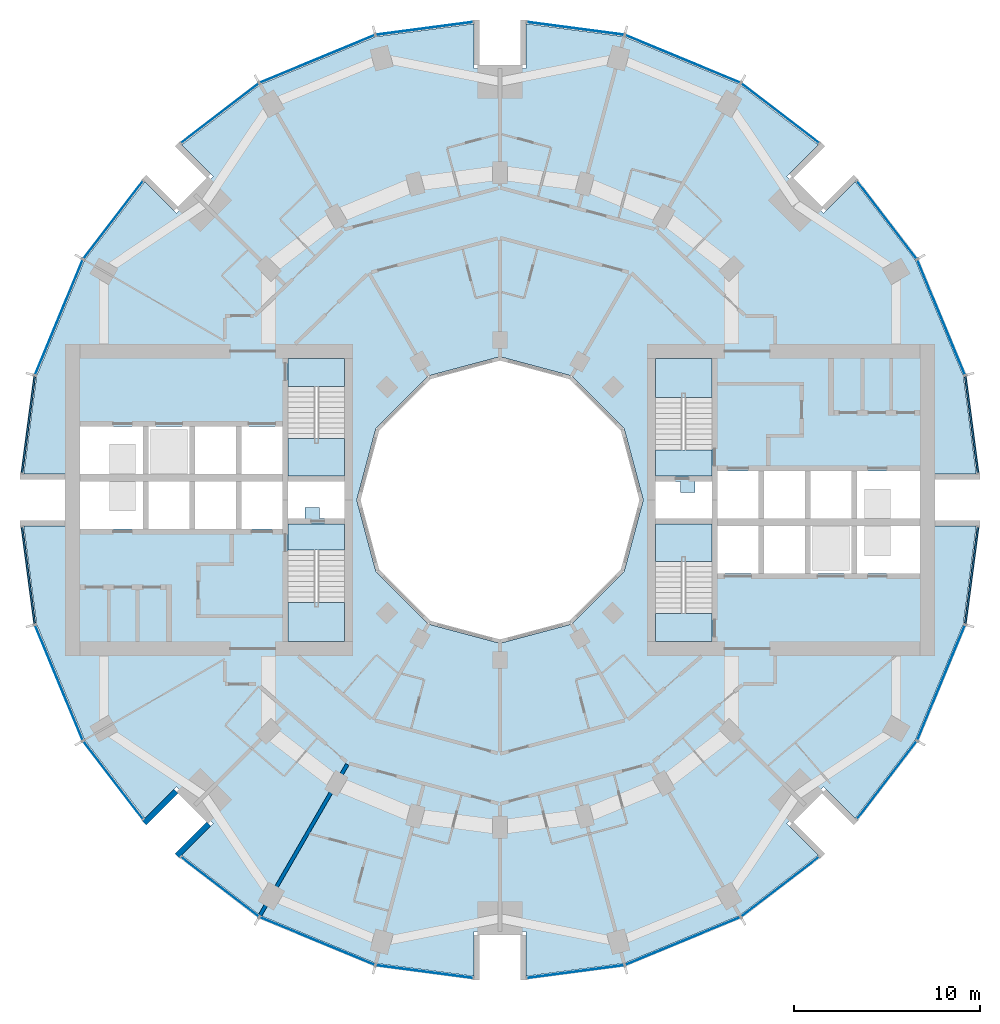
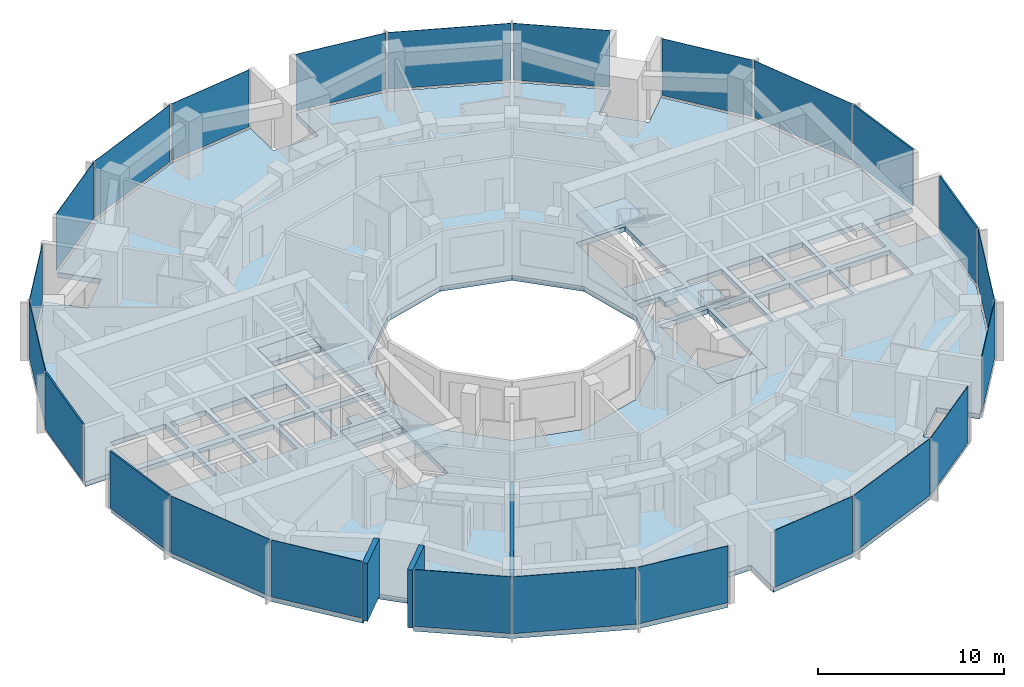
# One storey, part 7 of 15: 24 plates, 9 slabs, 3 walls, 28 elements without a shape of their own.
"""IFC4 building model written with IfcOpenShell, lengths in metres."""

import ifcopenshell
import ifcopenshell.guid

model = None  # the IFC model being written
_history = None  # IfcOwnerHistory: only IFC2X3 demands one
_inside = {}  # id of a spatial element -> (the spatial element, [elements in it])
_under = {}  # id of a project, library or spatial element -> (it, [spatial elements below it])
_declared = {}  # id of a project -> (the project, [libraries it declares])
_typed = {}  # id of a type object -> (the type object, [elements of that type])
_made_of = {}  # id of a material, layer set ... -> (it, [elements and type objects made of it])


def new_model(schema):
    """Start an empty IFC model of exactly this schema.

    Asked for "IFC4X3", IfcOpenShell would pick the latest addendum, in which some entities
    have other attributes; the version numbers below select the first issue.
    IFC2X3 requires an IfcOwnerHistory on every rooted entity: one is made here for all.
    """
    global model, _history
    if schema == "IFC4X3":
        model = ifcopenshell.file(schema_version=(4, 3, 0, 0))
    else:
        model = ifcopenshell.file(schema=schema)
    _inside.clear()
    _under.clear()
    _declared.clear()
    _typed.clear()
    _made_of.clear()
    _history = None
    if model.schema == "IFC2X3":
        org = make("IfcOrganization", Name="unknown")
        user = make(
            "IfcPersonAndOrganization",
            ThePerson=make("IfcPerson", FamilyName="unknown"),
            TheOrganization=org,
        )
        app = make(
            "IfcApplication",
            ApplicationDeveloper=org,
            Version="unknown",
            ApplicationFullName="unknown",
            ApplicationIdentifier="unknown",
        )
        _history = make(
            "IfcOwnerHistory",
            OwningUser=user,
            OwningApplication=app,
            ChangeAction="ADDED",
            CreationDate=0,
        )
    return model


def make(cls, **values):
    """One entity of the class cls with the attributes given. An attribute that is None is left unset."""
    return model.create_entity(
        cls, **{name: value for name, value in values.items() if value is not None}
    )


def rooted(cls, **values):
    """An entity with a GlobalId (a new one), such as an element, a storey or a relation."""
    return make(cls, GlobalId=ifcopenshell.guid.new(), OwnerHistory=_history, **values)


def si_unit(unit_type, name, prefix=None):
    """IfcSIUnit, for example si_unit("LENGTHUNIT", "METRE", prefix="MILLI")."""
    return make("IfcSIUnit", UnitType=unit_type, Prefix=prefix, Name=name)


def assignment(units):
    """IfcUnitAssignment: the units of a project."""
    return None if units is None else make("IfcUnitAssignment", Units=units)


def point(xyz):
    """IfcCartesianPoint."""
    return None if xyz is None else make("IfcCartesianPoint", Coordinates=xyz)


def direction(xyz):
    """IfcDirection."""
    return None if xyz is None else make("IfcDirection", DirectionRatios=xyz)


def frame(location, z_axis=None, x_axis=None):
    """IfcAxis2Placement3D, a coordinate frame: its origin and axes. An axis left out is left unset."""
    return make(
        "IfcAxis2Placement3D",
        Location=point(location),
        Axis=direction(z_axis),
        RefDirection=direction(x_axis),
    )


def frame_2d(location, x_axis=None):
    """IfcAxis2Placement2D, a coordinate frame in the plane: its origin and x axis."""
    return make(
        "IfcAxis2Placement2D", Location=point(location), RefDirection=direction(x_axis)
    )


def origin():
    """The frame at (0, 0, 0) with its axes left unset."""
    return frame((0.0, 0.0, 0.0))


def origin_2d():
    """The frame at (0, 0) in the plane with its x axis left unset."""
    return frame_2d((0.0, 0.0))


def place(relative_to, where):
    """IfcLocalPlacement: puts the frame where relative to a parent placement (None: the world)."""
    return make(
        "IfcLocalPlacement", PlacementRelTo=relative_to, RelativePlacement=where
    )


def context(
    kind, dimensions, precision=None, world=None, true_north=None, identifier=None
):
    """IfcGeometricRepresentationContext, for example the 3D "Model" context."""
    return make(
        "IfcGeometricRepresentationContext",
        ContextIdentifier=identifier,
        ContextType=kind,
        CoordinateSpaceDimension=dimensions,
        Precision=precision,
        WorldCoordinateSystem=world,
        TrueNorth=true_north,
    )


def subcontext(parent, identifier, kind, view, scale=None):
    """IfcGeometricRepresentationSubContext, for example "Body" below "Model"."""
    return make(
        "IfcGeometricRepresentationSubContext",
        ContextIdentifier=identifier,
        ContextType=kind,
        ParentContext=parent,
        TargetScale=scale,
        TargetView=view,
    )


def project(units=None, contexts=None):
    """IfcProject with its units and contexts."""
    return rooted(
        "IfcProject",
        Name="project",
        RepresentationContexts=contexts,
        UnitsInContext=assignment(units),
    )


def spatial(cls, under=None, at=None, **own):
    """A site, building, storey or space (cls), placed at a placement, below another one or the project."""
    s = rooted(cls, ObjectPlacement=at, **own)
    if under is not None:
        _under.setdefault(under.id(), (under, []))[1].append(s)
    return s


def polyline(points):
    """IfcPolyline through the points."""
    return make("IfcPolyline", Points=[point(p) for p in points])


def profile(cls, at=None, kind="AREA", **sizes):
    """A parametric profile (cls). Its sizes go by their IFC names, for example OverallWidth=200.0."""
    return make(cls, ProfileType=kind, Position=at, **sizes)


def rectangle(**sizes):
    """IfcRectangleProfileDef."""
    return profile("IfcRectangleProfileDef", **sizes)


def outline(outer, holes=None, kind="AREA"):
    """IfcArbitraryClosedProfileDef: a profile drawn as a closed curve; with holes, ...WithVoids."""
    if holes is None:
        return make("IfcArbitraryClosedProfileDef", ProfileType=kind, OuterCurve=outer)
    return make(
        "IfcArbitraryProfileDefWithVoids",
        ProfileType=kind,
        OuterCurve=outer,
        InnerCurves=holes,
    )


def extrude(swept, where, along, depth):
    """IfcExtrudedAreaSolid: the profile swept, set in the frame where, extruded along a direction by depth."""
    return make(
        "IfcExtrudedAreaSolid",
        SweptArea=swept,
        Position=where,
        ExtrudedDirection=direction(along),
        Depth=depth,
    )


def shape(context_of_items, identifier, shape_type, items):
    """IfcShapeRepresentation: the items that make up one representation, for example the "Body"."""
    return make(
        "IfcShapeRepresentation",
        ContextOfItems=context_of_items,
        RepresentationIdentifier=identifier,
        RepresentationType=shape_type,
        Items=items,
    )


def material(Name=None, Category=None):
    """IfcMaterial."""
    return make("IfcMaterial", Name=Name, Category=Category)


def layer(
    of_material, thickness, ventilated=None, Name=None, Category=None, Priority=None
):
    """IfcMaterialLayer: one layer of a wall or slab, of a material (None: an air gap)."""
    return make(
        "IfcMaterialLayer",
        Material=of_material,
        LayerThickness=thickness,
        IsVentilated=ventilated,
        Name=Name,
        Category=Category,
        Priority=Priority,
    )


def layer_set(layers, Name=None):
    """IfcMaterialLayerSet."""
    return make("IfcMaterialLayerSet", MaterialLayers=layers, LayerSetName=Name)


def made_of(thing, what):
    """Note that an element or type object is made of a material, layer set ...; save() writes the relation."""
    if what is not None:
        _made_of.setdefault(what.id(), (what, []))[1].append(thing)
    return thing


def type_object(cls, material=None, **own):
    """A type object (cls), such as IfcWallType, which elements share."""
    return made_of(rooted(cls, **own), material)


def element(
    cls,
    number,
    at=None,
    inside=None,
    cuts=None,
    type_object=None,
    material=None,
    context=None,
    identifier="Body",
    shape_type=None,
    held_by="IfcProductDefinitionShape",
    body=None,
    shapes=None,
    **own,
):
    """One element of the class cls, such as IfcWall. Its Tag is "e" and its number.

    at: its placement. inside: the storey or other place that contains it. cuts: it is an
    opening in that element (IfcRelVoidsElement). A single representation is given by context,
    identifier, shape_type and body (its items); several are given by shapes. held_by: the class
    of the entity that holds the representations. save() writes the other relations.
    """
    e = rooted(cls, Tag="e%d" % number, ObjectPlacement=at, **own)
    if body is not None:
        shapes = [shape(context, identifier, shape_type, body)]
    if shapes is not None:
        e.Representation = make(held_by, Representations=shapes)
    if inside is not None:
        _inside.setdefault(inside.id(), (inside, []))[1].append(e)
    if cuts is not None:
        rooted(
            "IfcRelVoidsElement", RelatingBuildingElement=cuts, RelatedOpeningElement=e
        )
    if type_object is not None:
        _typed.setdefault(type_object.id(), (type_object, []))[1].append(e)
    return made_of(e, material)


def aggregate(whole, parts):
    """IfcRelAggregates: a whole, such as a stair, and the parts it consists of."""
    return rooted("IfcRelAggregates", RelatingObject=whole, RelatedObjects=parts)


def save(model, path):
    """Write the relations noted so far, then the file.

    IfcRelAggregates (storeys below a building ...), IfcRelContainedInSpatialStructure (elements
    in a storey), IfcRelDefinesByType, IfcRelAssociatesMaterial and IfcRelDeclares: one each for
    every whole, place, type object, material and project.
    """
    for whole, parts in _under.values():
        aggregate(whole, parts)
    for where, things in _inside.values():
        rooted(
            "IfcRelContainedInSpatialStructure",
            RelatedElements=things,
            RelatingStructure=where,
        )
    for kind, things in _typed.values():
        rooted("IfcRelDefinesByType", RelatedObjects=things, RelatingType=kind)
    for what, things in _made_of.values():
        rooted("IfcRelAssociatesMaterial", RelatedObjects=things, RelatingMaterial=what)
    for by, libraries in _declared.values():
        rooted("IfcRelDeclares", RelatingContext=by, RelatedDefinitions=libraries)
    model.write(path)


model = new_model("IFC4")

# Units and contexts
model_context = context("Model", 3, precision=1e-05, world=origin(), true_north=direction((0.0, 1.0)))
body_context = subcontext(model_context, "Body", "Model", "MODEL_VIEW")
ifc_project = project(units=[si_unit("LENGTHUNIT", "METRE"), si_unit("AREAUNIT", "SQUARE_METRE"), si_unit("VOLUMEUNIT", "CUBIC_METRE"), si_unit("PLANEANGLEUNIT", "RADIAN"), si_unit("MASSUNIT", "GRAM", prefix="KILO")], contexts=[model_context])

# Site, building, storey
site_placement = place(None, origin())
site = spatial("IfcSite", under=ifc_project, at=site_placement, CompositionType="ELEMENT")
building_placement = place(site_placement, origin())
building = spatial("IfcBuilding", under=site, at=building_placement, Name="Torre Brocal", CompositionType="ELEMENT")
storey_placement = place(building_placement, frame((0.0, 0.0, 59.199951171875)))
storey = spatial("IfcBuildingStorey", under=building, at=storey_placement, Name="L13", CompositionType="ELEMENT", Elevation=59.199951171875)

# Curtain wall, plate
ifc_material_1 = material(Name="Aluminium and glass", Category="aluminium")
ifc_layer_1 = layer(ifc_material_1, 0.199951171875)
ifc_layer_set_1 = layer_set([ifc_layer_1], Name="Aluminium and glass")
curtain_wall_type_1 = type_object("IfcCurtainWallType", Name="CW-1 CURTAIN WALL 3800 HIGH", PredefinedType="NOTDEFINED", material=ifc_layer_set_1)
curtain_wall_1_placement = place(storey_placement, origin())
curtain_wall_1 = element("IfcCurtainWall", 1, at=curtain_wall_1_placement, inside=storey, type_object=curtain_wall_type_1, Name="CW-1 RUN 2", PredefinedType="NOTDEFINED")
ifc_material_2 = material(Name="Glass, dark tinted laminated", Category="glass")
ifc_layer_2 = layer(ifc_material_2, 0.031982421875)
ifc_layer_set_2 = layer_set([ifc_layer_2], Name="Glass, dark tinted laminated")
plate_type_1 = type_object("IfcPlateType", Name="CW-1 GLASS PANEL 32", PredefinedType="CURTAIN_PANEL", material=ifc_layer_set_2)
plate_1_placement = place(storey_placement, frame((103.722900390625, 84.826416015625, 0.080078125), z_axis=(0.0, 0.0, 1.0), x_axis=(-0.382683432333, 0.923879532525, 0.0)))
plate_1 = element("IfcPlate", 2, at=plate_1_placement, type_object=plate_type_1, Name="CW1-1 panel 1.1", PredefinedType="CURTAIN_PANEL", context=body_context, shape_type="SweptSolid", body=[
    extrude(rectangle(XDim=6.64111328125, YDim=0.031982421875, at=origin_2d()), origin(), (0.0, 0.0, 1.0), 3.719970703125),
])
aggregate(curtain_wall_1, [plate_1])

curtain_wall_2_placement = place(storey_placement, origin())
curtain_wall_2 = element("IfcCurtainWall", 3, at=curtain_wall_2_placement, inside=storey, type_object=curtain_wall_type_1, Name="CW-1 RUN 3", PredefinedType="NOTDEFINED")
plate_2_placement = place(storey_placement, frame((100.80126953125, 90.0712890625, 0.080078125), z_axis=(0.0, 0.0, 1.0), x_axis=(-0.60876142905, 0.793353340259, 0.0)))
plate_2 = element("IfcPlate", 4, at=plate_2_placement, type_object=plate_type_1, Name="CW1-1 panel 1.1", PredefinedType="CURTAIN_PANEL", context=body_context, shape_type="SweptSolid", body=[
    extrude(rectangle(XDim=5.22900390625, YDim=0.031982421875, at=origin_2d()), origin(), (0.0, 0.0, 1.0), 3.719970703125),
])
aggregate(curtain_wall_2, [plate_2])

curtain_wall_3_placement = place(storey_placement, origin())
curtain_wall_3 = element("IfcCurtainWall", 5, at=curtain_wall_3_placement, inside=storey, type_object=curtain_wall_type_1, Name="CW-1 RUN 4", PredefinedType="NOTDEFINED")
plate_3_placement = place(storey_placement, frame((95.0712890625, 95.80126953125, 0.080078125), z_axis=(0.0, 0.0, 1.0), x_axis=(-0.793353340259, 0.60876142905, 0.0)))
plate_3 = element("IfcPlate", 6, at=plate_3_placement, type_object=plate_type_1, Name="CW1-1 panel 1.1", PredefinedType="CURTAIN_PANEL", context=body_context, shape_type="SweptSolid", body=[
    extrude(rectangle(XDim=5.22900390625, YDim=0.031982421875, at=origin_2d()), origin(), (0.0, 0.0, 1.0), 3.719970703125),
])
aggregate(curtain_wall_3, [plate_3])

curtain_wall_4_placement = place(storey_placement, origin())
curtain_wall_4 = element("IfcCurtainWall", 7, at=curtain_wall_4_placement, inside=storey, type_object=curtain_wall_type_1, Name="CW-1 RUN 5", PredefinedType="NOTDEFINED")
plate_4_placement = place(storey_placement, frame((89.826416015625, 98.722900390625, 0.080078125), z_axis=(0.0, 0.0, 1.0), x_axis=(-0.923879532525, 0.382683432333, 0.0)))
plate_4 = element("IfcPlate", 8, at=plate_4_placement, type_object=plate_type_1, Name="CW1-1 panel 1.1", PredefinedType="CURTAIN_PANEL", context=body_context, shape_type="SweptSolid", body=[
    extrude(rectangle(XDim=6.64111328125, YDim=0.031982421875, at=origin_2d()), origin(), (0.0, 0.0, 1.0), 3.719970703125),
])
aggregate(curtain_wall_4, [plate_4])

curtain_wall_5_placement = place(storey_placement, origin())
curtain_wall_5 = element("IfcCurtainWall", 9, at=curtain_wall_5_placement, inside=storey, type_object=curtain_wall_type_1, Name="CW-1 RUN 6", PredefinedType="NOTDEFINED")
plate_5_placement = place(storey_placement, frame((84.051513671875, 100.36572265625, 0.080078125), z_axis=(0.0, 0.0, 1.0), x_axis=(-0.991444861374, 0.13052619222, 0.0)))
plate_5 = element("IfcPlate", 10, at=plate_5_placement, type_object=plate_type_1, Name="CW1-1 panel 1.1", PredefinedType="CURTAIN_PANEL", context=body_context, shape_type="SweptSolid", body=[
    extrude(rectangle(XDim=5.22900390625, YDim=0.031982421875, at=origin_2d()), origin(), (0.0, 0.0, 1.0), 3.719970703125),
])
aggregate(curtain_wall_5, [plate_5])

curtain_wall_6_placement = place(storey_placement, origin())
curtain_wall_6 = element("IfcCurtainWall", 11, at=curtain_wall_6_placement, inside=storey, type_object=curtain_wall_type_1, Name="CW-1 RUN 7", PredefinedType="NOTDEFINED")
plate_6_placement = place(storey_placement, frame((75.948486328125, 100.36572265625, 0.080078125), z_axis=(0.0, 0.0, 1.0), x_axis=(-0.991444861374, -0.13052619222, 0.0)))
plate_6 = element("IfcPlate", 12, at=plate_6_placement, type_object=plate_type_1, Name="CW1-1 panel 1.1", PredefinedType="CURTAIN_PANEL", context=body_context, shape_type="SweptSolid", body=[
    extrude(rectangle(XDim=5.22900390625, YDim=0.031982421875, at=origin_2d()), origin(), (0.0, 0.0, 1.0), 3.719970703125),
])
aggregate(curtain_wall_6, [plate_6])

curtain_wall_7_placement = place(storey_placement, origin())
curtain_wall_7 = element("IfcCurtainWall", 13, at=curtain_wall_7_placement, inside=storey, type_object=curtain_wall_type_1, Name="CW-1 RUN 8", PredefinedType="NOTDEFINED")
plate_7_placement = place(storey_placement, frame((70.173583984375, 98.722900390625, 0.080078125), z_axis=(0.0, 0.0, 1.0), x_axis=(-0.923879532525, -0.382683432333, 0.0)))
plate_7 = element("IfcPlate", 14, at=plate_7_placement, type_object=plate_type_1, Name="CW1-1 panel 1.1", PredefinedType="CURTAIN_PANEL", context=body_context, shape_type="SweptSolid", body=[
    extrude(rectangle(XDim=6.64111328125, YDim=0.031982421875, at=origin_2d()), origin(), (0.0, 0.0, 1.0), 3.719970703125),
])
aggregate(curtain_wall_7, [plate_7])

curtain_wall_8_placement = place(storey_placement, origin())
curtain_wall_8 = element("IfcCurtainWall", 15, at=curtain_wall_8_placement, inside=storey, type_object=curtain_wall_type_1, Name="CW-1 RUN 9", PredefinedType="NOTDEFINED")
plate_8_placement = place(storey_placement, frame((64.9287109375, 95.80126953125, 0.080078125), z_axis=(0.0, 0.0, 1.0), x_axis=(-0.793353340259, -0.60876142905, 0.0)))
plate_8 = element("IfcPlate", 16, at=plate_8_placement, type_object=plate_type_1, Name="CW1-1 panel 1.1", PredefinedType="CURTAIN_PANEL", context=body_context, shape_type="SweptSolid", body=[
    extrude(rectangle(XDim=5.22900390625, YDim=0.031982421875, at=origin_2d()), origin(), (0.0, 0.0, 1.0), 3.719970703125),
])
aggregate(curtain_wall_8, [plate_8])

curtain_wall_9_placement = place(storey_placement, origin())
curtain_wall_9 = element("IfcCurtainWall", 17, at=curtain_wall_9_placement, inside=storey, type_object=curtain_wall_type_1, Name="CW-1 RUN 10", PredefinedType="NOTDEFINED")
plate_9_placement = place(storey_placement, frame((59.19873046875, 90.0712890625, 0.080078125), z_axis=(0.0, 0.0, 1.0), x_axis=(-0.60876142905, -0.793353340259, 0.0)))
plate_9 = element("IfcPlate", 18, at=plate_9_placement, type_object=plate_type_1, Name="CW1-1 panel 1.1", PredefinedType="CURTAIN_PANEL", context=body_context, shape_type="SweptSolid", body=[
    extrude(rectangle(XDim=5.22900390625, YDim=0.031982421875, at=origin_2d()), origin(), (0.0, 0.0, 1.0), 3.719970703125),
])
aggregate(curtain_wall_9, [plate_9])

curtain_wall_10_placement = place(storey_placement, origin())
curtain_wall_10 = element("IfcCurtainWall", 19, at=curtain_wall_10_placement, inside=storey, type_object=curtain_wall_type_1, Name="CW-1 RUN 11", PredefinedType="NOTDEFINED")
plate_10_placement = place(storey_placement, frame((56.277099609375, 84.826416015625, 0.080078125), z_axis=(0.0, 0.0, 1.0), x_axis=(-0.382683432333, -0.923879532525, 0.0)))
plate_10 = element("IfcPlate", 20, at=plate_10_placement, type_object=plate_type_1, Name="CW1-1 panel 1.1", PredefinedType="CURTAIN_PANEL", context=body_context, shape_type="SweptSolid", body=[
    extrude(rectangle(XDim=6.64111328125, YDim=0.031982421875, at=origin_2d()), origin(), (0.0, 0.0, 1.0), 3.719970703125),
])
aggregate(curtain_wall_10, [plate_10])

curtain_wall_11_placement = place(storey_placement, origin())
curtain_wall_11 = element("IfcCurtainWall", 21, at=curtain_wall_11_placement, inside=storey, type_object=curtain_wall_type_1, Name="CW-1 RUN 14", PredefinedType="NOTDEFINED")
plate_11_placement = place(storey_placement, frame((56.277099609375, 65.173583984375, 0.080078125), z_axis=(0.0, 0.0, 1.0), x_axis=(0.382683432333, -0.923879532525, 0.0)))
plate_11 = element("IfcPlate", 22, at=plate_11_placement, type_object=plate_type_1, Name="CW1-1 panel 1.1", PredefinedType="CURTAIN_PANEL", context=body_context, shape_type="SweptSolid", body=[
    extrude(rectangle(XDim=6.64111328125, YDim=0.031982421875, at=origin_2d()), origin(), (0.0, 0.0, 1.0), 3.719970703125),
])
aggregate(curtain_wall_11, [plate_11])

curtain_wall_12_placement = place(storey_placement, origin())
curtain_wall_12 = element("IfcCurtainWall", 23, at=curtain_wall_12_placement, inside=storey, type_object=curtain_wall_type_1, Name="CW-1 RUN 15", PredefinedType="NOTDEFINED")
plate_12_placement = place(storey_placement, frame((59.19873046875, 59.9287109375, 0.080078125), z_axis=(0.0, 0.0, 1.0), x_axis=(0.60876142905, -0.793353340259, 0.0)))
plate_12 = element("IfcPlate", 24, at=plate_12_placement, type_object=plate_type_1, Name="CW1-1 panel 1.1", PredefinedType="CURTAIN_PANEL", context=body_context, shape_type="SweptSolid", body=[
    extrude(rectangle(XDim=5.22900390625, YDim=0.031982421875, at=origin_2d()), origin(), (0.0, 0.0, 1.0), 3.719970703125),
])
aggregate(curtain_wall_12, [plate_12])

curtain_wall_13_placement = place(storey_placement, origin())
curtain_wall_13 = element("IfcCurtainWall", 25, at=curtain_wall_13_placement, inside=storey, type_object=curtain_wall_type_1, Name="CW-1 RUN 16", PredefinedType="NOTDEFINED")
plate_13_placement = place(storey_placement, frame((64.9287109375, 54.19873046875, 0.080078125), z_axis=(0.0, 0.0, 1.0), x_axis=(0.793353340259, -0.60876142905, 0.0)))
plate_13 = element("IfcPlate", 26, at=plate_13_placement, type_object=plate_type_1, Name="CW1-1 panel 1.1", PredefinedType="CURTAIN_PANEL", context=body_context, shape_type="SweptSolid", body=[
    extrude(rectangle(XDim=5.22900390625, YDim=0.031982421875, at=origin_2d()), origin(), (0.0, 0.0, 1.0), 3.719970703125),
])
aggregate(curtain_wall_13, [plate_13])

curtain_wall_14_placement = place(storey_placement, origin())
curtain_wall_14 = element("IfcCurtainWall", 27, at=curtain_wall_14_placement, inside=storey, type_object=curtain_wall_type_1, Name="CW-1 RUN 17", PredefinedType="NOTDEFINED")
plate_14_placement = place(storey_placement, frame((70.173583984375, 51.277099609375, 0.080078125), z_axis=(0.0, 0.0, 1.0), x_axis=(0.923879532525, -0.382683432333, 0.0)))
plate_14 = element("IfcPlate", 28, at=plate_14_placement, type_object=plate_type_1, Name="CW1-1 panel 1.1", PredefinedType="CURTAIN_PANEL", context=body_context, shape_type="SweptSolid", body=[
    extrude(rectangle(XDim=6.64111328125, YDim=0.031982421875, at=origin_2d()), origin(), (0.0, 0.0, 1.0), 3.719970703125),
])
aggregate(curtain_wall_14, [plate_14])

curtain_wall_15_placement = place(storey_placement, origin())
curtain_wall_15 = element("IfcCurtainWall", 29, at=curtain_wall_15_placement, inside=storey, type_object=curtain_wall_type_1, Name="CW-1 RUN 18", PredefinedType="NOTDEFINED")
plate_15_placement = place(storey_placement, frame((75.948486328125, 49.63427734375, 0.080078125), z_axis=(0.0, 0.0, 1.0), x_axis=(0.991444861374, -0.13052619222, 0.0)))
plate_15 = element("IfcPlate", 30, at=plate_15_placement, type_object=plate_type_1, Name="CW1-1 panel 1.1", PredefinedType="CURTAIN_PANEL", context=body_context, shape_type="SweptSolid", body=[
    extrude(rectangle(XDim=5.22900390625, YDim=0.031982421875, at=origin_2d()), origin(), (0.0, 0.0, 1.0), 3.719970703125),
])
aggregate(curtain_wall_15, [plate_15])

curtain_wall_16_placement = place(storey_placement, origin())
curtain_wall_16 = element("IfcCurtainWall", 31, at=curtain_wall_16_placement, inside=storey, type_object=curtain_wall_type_1, Name="CW-1 RUN 19", PredefinedType="NOTDEFINED")
plate_16_placement = place(storey_placement, frame((84.051513671875, 49.63427734375, 0.080078125), z_axis=(0.0, 0.0, 1.0), x_axis=(0.991444861374, 0.13052619222, 0.0)))
plate_16 = element("IfcPlate", 32, at=plate_16_placement, type_object=plate_type_1, Name="CW1-1 panel 1.1", PredefinedType="CURTAIN_PANEL", context=body_context, shape_type="SweptSolid", body=[
    extrude(rectangle(XDim=5.22900390625, YDim=0.031982421875, at=origin_2d()), origin(), (0.0, 0.0, 1.0), 3.719970703125),
])
aggregate(curtain_wall_16, [plate_16])

curtain_wall_17_placement = place(storey_placement, origin())
curtain_wall_17 = element("IfcCurtainWall", 33, at=curtain_wall_17_placement, inside=storey, type_object=curtain_wall_type_1, Name="CW-1 RUN 20", PredefinedType="NOTDEFINED")
plate_17_placement = place(storey_placement, frame((89.826416015625, 51.277099609375, 0.080078125), z_axis=(0.0, 0.0, 1.0), x_axis=(0.923879532525, 0.382683432333, 0.0)))
plate_17 = element("IfcPlate", 34, at=plate_17_placement, type_object=plate_type_1, Name="CW1-1 panel 1.1", PredefinedType="CURTAIN_PANEL", context=body_context, shape_type="SweptSolid", body=[
    extrude(rectangle(XDim=6.64111328125, YDim=0.031982421875, at=origin_2d()), origin(), (0.0, 0.0, 1.0), 3.719970703125),
])
aggregate(curtain_wall_17, [plate_17])

curtain_wall_18_placement = place(storey_placement, origin())
curtain_wall_18 = element("IfcCurtainWall", 35, at=curtain_wall_18_placement, inside=storey, type_object=curtain_wall_type_1, Name="CW-1 RUN 21", PredefinedType="NOTDEFINED")
plate_18_placement = place(storey_placement, frame((95.0712890625, 54.19873046875, 0.080078125), z_axis=(0.0, 0.0, 1.0), x_axis=(0.793353340259, 0.60876142905, 0.0)))
plate_18 = element("IfcPlate", 36, at=plate_18_placement, type_object=plate_type_1, Name="CW1-1 panel 1.1", PredefinedType="CURTAIN_PANEL", context=body_context, shape_type="SweptSolid", body=[
    extrude(rectangle(XDim=5.22900390625, YDim=0.031982421875, at=origin_2d()), origin(), (0.0, 0.0, 1.0), 3.719970703125),
])
aggregate(curtain_wall_18, [plate_18])

curtain_wall_19_placement = place(storey_placement, origin())
curtain_wall_19 = element("IfcCurtainWall", 37, at=curtain_wall_19_placement, inside=storey, type_object=curtain_wall_type_1, Name="CW-1 RUN 22", PredefinedType="NOTDEFINED")
plate_19_placement = place(storey_placement, frame((100.80126953125, 59.9287109375, 0.080078125), z_axis=(0.0, 0.0, 1.0), x_axis=(0.60876142905, 0.793353340259, 0.0)))
plate_19 = element("IfcPlate", 38, at=plate_19_placement, type_object=plate_type_1, Name="CW1-1 panel 1.1", PredefinedType="CURTAIN_PANEL", context=body_context, shape_type="SweptSolid", body=[
    extrude(rectangle(XDim=5.22900390625, YDim=0.031982421875, at=origin_2d()), origin(), (0.0, 0.0, 1.0), 3.719970703125),
])
aggregate(curtain_wall_19, [plate_19])

curtain_wall_20_placement = place(storey_placement, origin())
curtain_wall_20 = element("IfcCurtainWall", 39, at=curtain_wall_20_placement, inside=storey, type_object=curtain_wall_type_1, Name="CW-1 RUN 23", PredefinedType="NOTDEFINED")
plate_20_placement = place(storey_placement, frame((103.722900390625, 65.173583984375, 0.080078125), z_axis=(0.0, 0.0, 1.0), x_axis=(0.382683432333, 0.923879532525, 0.0)))
plate_20 = element("IfcPlate", 40, at=plate_20_placement, type_object=plate_type_1, Name="CW1-1 panel 1.1", PredefinedType="CURTAIN_PANEL", context=body_context, shape_type="SweptSolid", body=[
    extrude(rectangle(XDim=6.64111328125, YDim=0.031982421875, at=origin_2d()), origin(), (0.0, 0.0, 1.0), 3.719970703125),
])
aggregate(curtain_wall_20, [plate_20])

ifc_material_3 = material(Name="Aluminium and glass", Category="aluminium")
ifc_layer_3 = layer(ifc_material_3, 0.199951171875)
ifc_layer_set_3 = layer_set([ifc_layer_3], Name="Aluminium and glass")
curtain_wall_type_2 = type_object("IfcCurtainWallType", Name="CW-1B CURTAIN WALL 3800 HIGH", PredefinedType="NOTDEFINED", material=ifc_layer_set_3)
curtain_wall_21_placement = place(storey_placement, origin())
curtain_wall_21 = element("IfcCurtainWall", 41, at=curtain_wall_21_placement, inside=storey, type_object=curtain_wall_type_2, Name="CW-1B RUN 1", PredefinedType="NOTDEFINED")
ifc_material_4 = material(Name="Aluminium composite panel", Category="aluminium")
ifc_layer_4 = layer(ifc_material_4, 0.10009765625)
ifc_layer_set_4 = layer_set([ifc_layer_4], Name="Aluminium composite panel")
plate_type_2 = type_object("IfcPlateType", Name="CW-1B OPAQUE PANEL 100", PredefinedType="CURTAIN_PANEL", material=ifc_layer_set_4)
plate_21_placement = place(storey_placement, frame((105.36572265625, 79.051513671875, 0.080078125), z_axis=(0.0, 0.0, 1.0), x_axis=(-0.13052619222, 0.991444861374, 0.0)))
plate_21 = element("IfcPlate", 42, at=plate_21_placement, type_object=plate_type_2, Name="CW1B-1 panel 1.1", PredefinedType="CURTAIN_PANEL", context=body_context, shape_type="SweptSolid", body=[
    extrude(rectangle(XDim=5.22900390625, YDim=0.10009765625, at=origin_2d()), origin(), (0.0, 0.0, 1.0), 3.719970703125),
])
aggregate(curtain_wall_21, [plate_21])

curtain_wall_22_placement = place(storey_placement, origin())
curtain_wall_22 = element("IfcCurtainWall", 43, at=curtain_wall_22_placement, inside=storey, type_object=curtain_wall_type_2, Name="CW-1B RUN 12", PredefinedType="NOTDEFINED")
plate_22_placement = place(storey_placement, frame((54.63427734375, 79.051513671875, 0.080078125), z_axis=(0.0, 0.0, 1.0), x_axis=(-0.13052619222, -0.991444861374, 0.0)))
plate_22 = element("IfcPlate", 44, at=plate_22_placement, type_object=plate_type_2, Name="CW1B-1 panel 1.1", PredefinedType="CURTAIN_PANEL", context=body_context, shape_type="SweptSolid", body=[
    extrude(rectangle(XDim=5.22900390625, YDim=0.10009765625, at=origin_2d()), origin(), (0.0, 0.0, 1.0), 3.719970703125),
])
aggregate(curtain_wall_22, [plate_22])

curtain_wall_23_placement = place(storey_placement, origin())
curtain_wall_23 = element("IfcCurtainWall", 45, at=curtain_wall_23_placement, inside=storey, type_object=curtain_wall_type_2, Name="CW-1B RUN 13", PredefinedType="NOTDEFINED")
plate_23_placement = place(storey_placement, frame((54.63427734375, 70.948486328125, 0.080078125), z_axis=(0.0, 0.0, 1.0), x_axis=(0.13052619222, -0.991444861374, 0.0)))
plate_23 = element("IfcPlate", 46, at=plate_23_placement, type_object=plate_type_2, Name="CW1B-1 panel 1.1", PredefinedType="CURTAIN_PANEL", context=body_context, shape_type="SweptSolid", body=[
    extrude(rectangle(XDim=5.22900390625, YDim=0.10009765625, at=origin_2d()), origin(), (0.0, 0.0, 1.0), 3.719970703125),
])
aggregate(curtain_wall_23, [plate_23])

curtain_wall_24_placement = place(storey_placement, origin())
curtain_wall_24 = element("IfcCurtainWall", 47, at=curtain_wall_24_placement, inside=storey, type_object=curtain_wall_type_2, Name="CW-1B RUN 24", PredefinedType="NOTDEFINED")
plate_24_placement = place(storey_placement, frame((105.36572265625, 70.948486328125, 0.080078125), z_axis=(0.0, 0.0, 1.0), x_axis=(0.13052619222, 0.991444861374, 0.0)))
plate_24 = element("IfcPlate", 48, at=plate_24_placement, type_object=plate_type_2, Name="CW1B-1 panel 1.1", PredefinedType="CURTAIN_PANEL", context=body_context, shape_type="SweptSolid", body=[
    extrude(rectangle(XDim=5.22900390625, YDim=0.10009765625, at=origin_2d()), origin(), (0.0, 0.0, 1.0), 3.719970703125),
])
aggregate(curtain_wall_24, [plate_24])

# Stair, slab
ifc_material_5 = material(Name="Concrete C50", Category="concrete")
stair_type = type_object("IfcStairType", Name="EXIT STAIR", PredefinedType="HALF_TURN_STAIR", material=ifc_material_5)
stair_1_placement = place(storey_placement, origin())
stair_1 = element("IfcStair", 49, at=stair_1_placement, inside=storey, type_object=stair_type, Name="EXIT STAIR ST1", PredefinedType="HALF_TURN_STAIR")
ifc_material_6 = material(Name="Concrete C50", Category="concrete")
ifc_layer_5 = layer(ifc_material_6, 0.320068359375)
ifc_layer_set_5 = layer_set([ifc_layer_5], Name="Concrete C50")
slab_type_1 = type_object("IfcSlabType", Name="FLOOR LANDING 320", PredefinedType="LANDING", material=ifc_layer_set_5)
slab_1_placement = place(storey_placement, frame((0.0, 0.0, -0.320068359375)))
slab_1 = element("IfcSlab", 50, at=slab_1_placement, type_object=slab_type_1, Name="ST1 landing 1", PredefinedType="LANDING", context=body_context, shape_type="SweptSolid", body=[
    extrude(outline(polyline([(88.35009765625, 76.300048828125), (91.39990234375, 76.300048828125), (91.39990234375, 77.699951171875), (88.35009765625, 77.699951171875), (88.35009765625, 76.300048828125)])), origin(), (0.0, 0.0, 1.0), 0.320068359375),
])

stair_2_placement = place(storey_placement, origin())
stair_2 = element("IfcStair", 51, at=stair_2_placement, inside=storey, type_object=stair_type, Name="EXIT STAIR ST2", PredefinedType="HALF_TURN_STAIR")
slab_2_placement = place(storey_placement, frame((0.0, 0.0, -0.320068359375)))
slab_2 = element("IfcSlab", 52, at=slab_2_placement, type_object=slab_type_1, Name="ST2 landing 1", PredefinedType="LANDING", context=body_context, shape_type="SweptSolid", body=[
    extrude(outline(polyline([(88.35009765625, 67.39990234375), (91.39990234375, 67.39990234375), (91.39990234375, 68.89990234375), (88.35009765625, 68.89990234375), (88.35009765625, 67.39990234375)])), origin(), (0.0, 0.0, 1.0), 0.320068359375),
])

stair_3_placement = place(storey_placement, origin())
stair_3 = element("IfcStair", 53, at=stair_3_placement, inside=storey, type_object=stair_type, Name="EXIT STAIR ST3", PredefinedType="HALF_TURN_STAIR")
slab_3_placement = place(storey_placement, frame((0.0, 0.0, -0.320068359375)))
slab_3 = element("IfcSlab", 54, at=slab_3_placement, type_object=slab_type_1, Name="ST3 landing 1", PredefinedType="LANDING", context=body_context, shape_type="SweptSolid", body=[
    extrude(outline(polyline([(71.64990234375, 73.699951171875), (68.60009765625, 73.699951171875), (68.60009765625, 72.300048828125), (71.64990234375, 72.300048828125), (71.64990234375, 73.699951171875)])), origin(), (0.0, 0.0, 1.0), 0.320068359375),
])

stair_4_placement = place(storey_placement, origin())
stair_4 = element("IfcStair", 55, at=stair_4_placement, inside=storey, type_object=stair_type, Name="EXIT STAIR ST4", PredefinedType="HALF_TURN_STAIR")
slab_4_placement = place(storey_placement, frame((0.0, 0.0, -0.320068359375)))
slab_4 = element("IfcSlab", 56, at=slab_4_placement, type_object=slab_type_1, Name="ST4 landing 1", PredefinedType="LANDING", context=body_context, shape_type="SweptSolid", body=[
    extrude(outline(polyline([(71.64990234375, 82.60009765625), (68.60009765625, 82.60009765625), (68.60009765625, 81.10009765625), (71.64990234375, 81.10009765625), (71.64990234375, 82.60009765625)])), origin(), (0.0, 0.0, 1.0), 0.320068359375),
])

# Slab
ifc_material_7 = material(Name="Concrete C50", Category="concrete")
ifc_layer_6 = layer(ifc_material_7, 0.199951171875)
ifc_layer_set_6 = layer_set([ifc_layer_6], Name="Concrete C50")
slab_type_2 = type_object("IfcSlabType", Name="MID LANDING +1900", PredefinedType="LANDING", material=ifc_layer_set_6)
slab_5_placement = place(storey_placement, frame((0.0, 0.0, 1.699951171875)))
slab_5 = element("IfcSlab", 57, at=slab_5_placement, type_object=slab_type_2, Name="ST1 landing 2", PredefinedType="LANDING", context=body_context, shape_type="SweptSolid", body=[
    extrude(outline(polyline([(88.35009765625, 80.5), (91.39990234375, 80.5), (91.39990234375, 82.60009765625), (88.35009765625, 82.60009765625), (88.35009765625, 80.5)])), origin(), (0.0, 0.0, 1.0), 0.2001953125),
])

aggregate(stair_1, [slab_1, slab_5])

slab_6_placement = place(storey_placement, frame((0.0, 0.0, 1.699951171875)))
slab_6 = element("IfcSlab", 58, at=slab_6_placement, type_object=slab_type_2, Name="ST2 landing 2", PredefinedType="LANDING", context=body_context, shape_type="SweptSolid", body=[
    extrude(outline(polyline([(88.35009765625, 71.699951171875), (91.39990234375, 71.699951171875), (91.39990234375, 73.699951171875), (88.35009765625, 73.699951171875), (88.35009765625, 71.699951171875)])), origin(), (0.0, 0.0, 1.0), 0.2001953125),
])

aggregate(stair_2, [slab_2, slab_6])

slab_7_placement = place(storey_placement, frame((0.0, 0.0, 1.699951171875)))
slab_7 = element("IfcSlab", 59, at=slab_7_placement, type_object=slab_type_2, Name="ST3 landing 2", PredefinedType="LANDING", context=body_context, shape_type="SweptSolid", body=[
    extrude(outline(polyline([(71.64990234375, 69.5), (68.60009765625, 69.5), (68.60009765625, 67.39990234375), (71.64990234375, 67.39990234375), (71.64990234375, 69.5)])), origin(), (0.0, 0.0, 1.0), 0.2001953125),
])

aggregate(stair_3, [slab_3, slab_7])

slab_8_placement = place(storey_placement, frame((0.0, 0.0, 1.699951171875)))
slab_8 = element("IfcSlab", 60, at=slab_8_placement, type_object=slab_type_2, Name="ST4 landing 2", PredefinedType="LANDING", context=body_context, shape_type="SweptSolid", body=[
    extrude(outline(polyline([(71.64990234375, 78.300048828125), (68.60009765625, 78.300048828125), (68.60009765625, 76.300048828125), (71.64990234375, 76.300048828125), (71.64990234375, 78.300048828125)])), origin(), (0.0, 0.0, 1.0), 0.2001953125),
])

aggregate(stair_4, [slab_4, slab_8])

ifc_material_8 = material(Name="Concrete C45", Category="concrete")
ifc_layer_7 = layer(ifc_material_8, 0.320068359375)
ifc_layer_set_7 = layer_set([ifc_layer_7], Name="Concrete C45")
slab_type_3 = type_object("IfcSlabType", Name="PT FLOOR SLAB 320 C45", PredefinedType="FLOOR", material=ifc_layer_set_7)
slab_9_placement = place(storey_placement, frame((0.0, 0.0, -0.320068359375)))
element("IfcSlab", 61, at=slab_9_placement, inside=storey, type_object=slab_type_3, Name="Slab ST-05", PredefinedType="FLOOR", context=body_context, shape_type="SweptSolid", body=[
    extrude(outline(polyline([(103.199951171875, 76.39990234375), (103.199951171875, 73.60009765625), (105.614013671875, 73.60009765625), (104.919189453125, 68.322998046875), (102.342041015625, 62.100830078125), (99.101806640625, 57.878173828125), (97.394775390625, 59.5849609375), (95.4150390625, 57.605224609375), (97.121826171875, 55.898193359375), (92.899169921875, 52.657958984375), (86.677001953125, 50.080810546875), (81.39990234375, 49.385986328125), (81.39990234375, 51.800048828125), (78.60009765625, 51.800048828125), (78.60009765625, 49.385986328125), (73.322998046875, 50.080810546875), (67.100830078125, 52.657958984375), (62.878173828125, 55.898193359375), (64.5849609375, 57.605224609375), (62.605224609375, 59.5849609375), (60.898193359375, 57.878173828125), (57.657958984375, 62.100830078125), (55.080810546875, 68.322998046875), (54.385986328125, 73.60009765625), (56.800048828125, 73.60009765625), (56.800048828125, 76.39990234375), (54.385986328125, 76.39990234375), (55.080810546875, 81.677001953125), (57.657958984375, 87.899169921875), (60.898193359375, 92.121826171875), (62.605224609375, 90.4150390625), (64.5849609375, 92.394775390625), (62.878173828125, 94.101806640625), (67.100830078125, 97.342041015625), (73.322998046875, 99.919189453125), (78.60009765625, 100.614013671875), (78.60009765625, 98.199951171875), (81.39990234375, 98.199951171875), (81.39990234375, 100.614013671875), (86.677001953125, 99.919189453125), (92.899169921875, 97.342041015625), (97.121826171875, 94.101806640625), (95.4150390625, 92.394775390625), (97.394775390625, 90.4150390625), (99.101806640625, 92.121826171875), (102.342041015625, 87.899169921875), (104.919189453125, 81.677001953125), (105.614013671875, 76.39990234375), (103.199951171875, 76.39990234375)]), holes=[polyline([(102.60009765625, 74.0), (102.60009765625, 76.550048828125), (99.199951171875, 76.550048828125), (99.199951171875, 74.0), (102.60009765625, 74.0)]), polyline([(102.60009765625, 71.050048828125), (102.60009765625, 73.60009765625), (99.199951171875, 73.60009765625), (99.199951171875, 71.050048828125), (102.60009765625, 71.050048828125)]), polyline([(98.89990234375, 76.550048828125), (96.699951171875, 76.550048828125), (96.699951171875, 74.0), (98.89990234375, 74.0), (98.89990234375, 76.550048828125)]), polyline([(98.89990234375, 71.050048828125), (98.89990234375, 73.60009765625), (96.699951171875, 73.60009765625), (96.699951171875, 71.050048828125), (98.89990234375, 71.050048828125)]), polyline([(96.39990234375, 73.60009765625), (94.199951171875, 73.60009765625), (94.199951171875, 71.050048828125), (96.39990234375, 71.050048828125), (96.39990234375, 73.60009765625)]), polyline([(96.39990234375, 74.0), (96.39990234375, 76.550048828125), (94.199951171875, 76.550048828125), (94.199951171875, 74.0), (96.39990234375, 74.0)]), polyline([(93.89990234375, 73.60009765625), (91.699951171875, 73.60009765625), (91.699951171875, 71.050048828125), (93.89990234375, 71.050048828125), (93.89990234375, 73.60009765625)]), polyline([(93.89990234375, 74.0), (93.89990234375, 76.550048828125), (91.699951171875, 76.550048828125), (91.699951171875, 74.0), (93.89990234375, 74.0)]), polyline([(91.39990234375, 76.300048828125), (91.39990234375, 82.60009765625), (88.35009765625, 82.60009765625), (88.35009765625, 76.300048828125), (91.39990234375, 76.300048828125)]), polyline([(91.39990234375, 73.699951171875), (88.35009765625, 73.699951171875), (88.35009765625, 67.39990234375), (91.39990234375, 67.39990234375), (91.39990234375, 73.699951171875)]), polyline([(89.699951171875, 76.0), (88.35009765625, 76.0), (88.35009765625, 74.0), (91.39990234375, 74.0), (91.39990234375, 76.0), (90.5, 76.0), (90.5, 75.39990234375), (89.699951171875, 75.39990234375), (89.699951171875, 76.0)]), polyline([(80.0, 82.70703125), (76.146484375, 81.674560546875), (73.325439453125, 78.853515625), (72.29296875, 75.0), (73.325439453125, 71.146484375), (76.146484375, 68.325439453125), (80.0, 67.29296875), (83.853515625, 68.325439453125), (86.674560546875, 71.146484375), (87.70703125, 75.0), (86.674560546875, 78.853515625), (83.853515625, 81.674560546875), (80.0, 82.70703125)]), polyline([(68.60009765625, 82.60009765625), (68.60009765625, 76.300048828125), (71.64990234375, 76.300048828125), (71.64990234375, 82.60009765625), (68.60009765625, 82.60009765625)]), polyline([(70.300048828125, 74.0), (71.64990234375, 74.0), (71.64990234375, 76.0), (68.60009765625, 76.0), (68.60009765625, 74.0), (69.5, 74.0), (69.5, 74.60009765625), (70.300048828125, 74.60009765625), (70.300048828125, 74.0)]), polyline([(68.60009765625, 67.39990234375), (71.64990234375, 67.39990234375), (71.64990234375, 73.699951171875), (68.60009765625, 73.699951171875), (68.60009765625, 67.39990234375)]), polyline([(66.10009765625, 78.949951171875), (66.10009765625, 76.39990234375), (68.300048828125, 76.39990234375), (68.300048828125, 78.949951171875), (66.10009765625, 78.949951171875)]), polyline([(66.10009765625, 76.0), (66.10009765625, 73.449951171875), (68.300048828125, 73.449951171875), (68.300048828125, 76.0), (66.10009765625, 76.0)]), polyline([(63.60009765625, 76.0), (63.60009765625, 73.449951171875), (65.800048828125, 73.449951171875), (65.800048828125, 76.0), (63.60009765625, 76.0)]), polyline([(63.60009765625, 76.39990234375), (65.800048828125, 76.39990234375), (65.800048828125, 78.949951171875), (63.60009765625, 78.949951171875), (63.60009765625, 76.39990234375)]), polyline([(61.10009765625, 78.949951171875), (61.10009765625, 76.39990234375), (63.300048828125, 76.39990234375), (63.300048828125, 78.949951171875), (61.10009765625, 78.949951171875)]), polyline([(61.10009765625, 73.449951171875), (63.300048828125, 73.449951171875), (63.300048828125, 76.0), (61.10009765625, 76.0), (61.10009765625, 73.449951171875)]), polyline([(57.39990234375, 73.449951171875), (60.800048828125, 73.449951171875), (60.800048828125, 76.0), (57.39990234375, 76.0), (57.39990234375, 73.449951171875)]), polyline([(57.39990234375, 78.949951171875), (57.39990234375, 76.39990234375), (60.800048828125, 76.39990234375), (60.800048828125, 78.949951171875), (57.39990234375, 78.949951171875)])]), origin(), (0.0, 0.0, 1.0), 0.320068359375),
])

# Walls
ifc_material_9 = material(Name="Concrete C80", Category="concrete")
ifc_layer_8 = layer(ifc_material_9, 0.300048828125)
ifc_layer_set_8 = layer_set([ifc_layer_8], Name="Concrete C80")
wall_type_1 = type_object("IfcWallType", Name="NOTCH RETURN WALL 300 C80", PredefinedType="NOTDEFINED", material=ifc_layer_set_8)
for number, where, z_axis, x_axis, name in (
    (62, (62.56982421875, 59.337646484375, 0.0), (0.0, 0.0, 1.0), (-0.707106781187, -0.707106781187, 0.0), "NOTCH RETURN WALL"),
    (63, (64.337646484375, 57.56982421875, 0.0), (0.0, 0.0, 1.0), (-0.707106781187, -0.707106781187, 0.0), "NOTCH RETURN WALL"),
):
    element("IfcWall", number, at=place(storey_placement, frame(where, z_axis=z_axis, x_axis=x_axis)), inside=storey, type_object=wall_type_1, Name=name, PredefinedType="NOTDEFINED", context=body_context, shape_type="SweptSolid", body=[
        extrude(rectangle(XDim=2.415771484375, YDim=0.300048828125, at=frame_2d((1.2080078125, 0.0))), origin(), (0.0, 0.0, 1.0), 3.800048828125),
    ])
ifc_material_10 = material(Name="Gypsum board", Category="Gypsum")
ifc_layer_9 = layer(ifc_material_10, 0.199951171875)
ifc_layer_set_9 = layer_set([ifc_layer_9], Name="Gypsum board")
wall_type_2 = type_object("IfcWallType", Name="PARTITION 200 EI60", PredefinedType="PARTITIONING", material=ifc_layer_set_9)
wall_placement = place(storey_placement, frame((67.09521484375, 52.662109375, 0.0), z_axis=(0.0, 0.0, 1.0), x_axis=(0.500247659952, 0.865882370021, 0.0)))
element("IfcWall", 64, at=wall_placement, inside=storey, type_object=wall_type_2, Name="PARTY PARTITION", PredefinedType="PARTITIONING", context=body_context, shape_type="SweptSolid", body=[
    extrude(rectangle(XDim=9.374755859375, YDim=0.199951171875, at=frame_2d((4.6875, 0.0))), origin(), (0.0, 0.0, 1.0), 3.35009765625),
])

save(model, "model.ifc")
